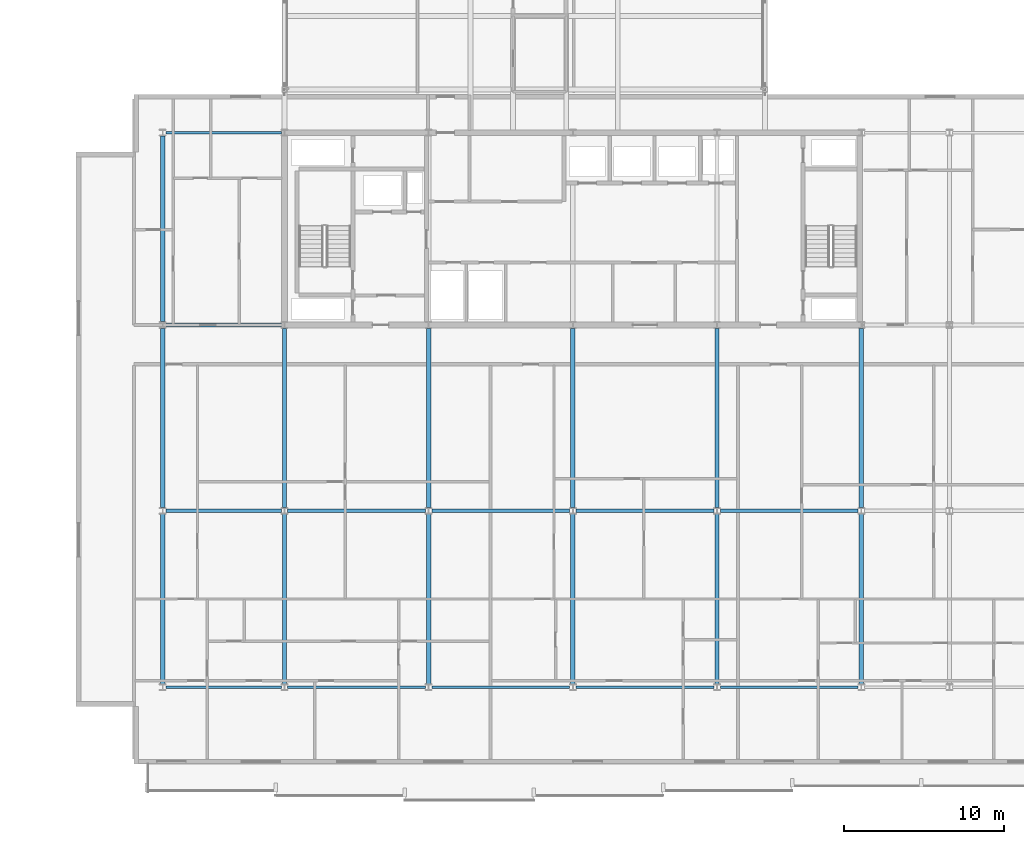
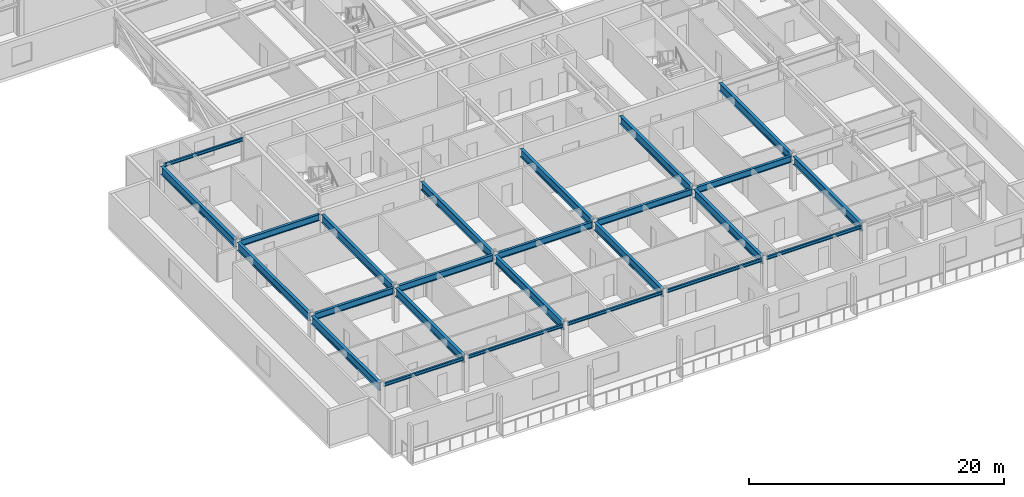
# One storey, part 3 of 36: 25 beams.
"""IFC4 building model written with IfcOpenShell, lengths in metres."""

from ifc_helpers import new_model, si_unit, direction, frame, origin, origin_2d, place, context, subcontext, project, spatial, i_section, extrude, material, material_profile, profile_set, type_object, element, save


model = new_model("IFC4")

# Units and contexts
model_context = context("Model", 3, precision=1e-05, world=origin(), true_north=direction((0.0, 1.0)))
body_context = subcontext(model_context, "Body", "Model", "MODEL_VIEW")
ifc_project = project(units=[si_unit("LENGTHUNIT", "METRE"), si_unit("AREAUNIT", "SQUARE_METRE"), si_unit("VOLUMEUNIT", "CUBIC_METRE"), si_unit("PLANEANGLEUNIT", "RADIAN"), si_unit("MASSUNIT", "GRAM", prefix="KILO")], contexts=[model_context])

# Site, building, storey
site_placement = place(None, origin())
site = spatial("IfcSite", under=ifc_project, at=site_placement, CompositionType="ELEMENT")
building_placement = place(site_placement, origin())
building = spatial("IfcBuilding", under=site, at=building_placement, Name="Korimba Cascade Residences", CompositionType="ELEMENT")
storey_placement = place(building_placement, frame((0.0, 0.0, 142.89990234375)))
storey = spatial("IfcBuildingStorey", under=building, at=storey_placement, Name="L41", CompositionType="ELEMENT", Elevation=142.89990234375)

# Beams
ifc_material = material(Name="Steel S355", Category="steel")
ifc_material_profile_1 = material_profile(ifc_material, i_section(OverallWidth=0.165771484375, OverallDepth=0.306640625, WebThickness=0.006591796875, FlangeThickness=0.01171875, FilletRadius=0.0087890625, at=origin_2d()), Name="Steel S355")
ifc_profile_set_1 = profile_set([ifc_material_profile_1], Name="Steel S355")
beam_type_1 = type_object("IfcBeamType", Name="BM-STL-UB305", PredefinedType="SPANDREL", material=ifc_profile_set_1)
beam_1_placement = place(storey_placement, frame((74.701416015625, -4.199951171875, 3.15673828125), z_axis=(1.0, 0.0, 0.0), x_axis=(0.0, 1.0, 0.0)))
element("IfcBeam", 1, at=beam_1_placement, inside=storey, type_object=beam_type_1, Name="L41 T2 E-W Girder Y1 Bay 1", PredefinedType="SPANDREL", context=body_context, shape_type="SweptSolid", body=[
    extrude(i_section(OverallWidth=0.165771484375, OverallDepth=0.306640625, WebThickness=0.006591796875, FlangeThickness=0.01171875, FilletRadius=0.0087890625, at=origin_2d()), origin(), (0.0, 0.0, 1.0), 7.197021484375),
])
for number, where, z_axis, x_axis, name in (
    (2, (82.301513671875, -4.199951171875, 3.15673828125), (1.0, 0.0, 0.0), (0.0, 1.0, 0.0), "L41 T2 E-W Girder Y1 Bay 2"),
    (3, (91.301513671875, -4.199951171875, 3.15673828125), (1.0, 0.0, 0.0), (0.0, 1.0, 0.0), "L41 T2 E-W Girder Y1 Bay 3"),
    (4, (100.301513671875, -4.199951171875, 3.15673828125), (1.0, 0.0, 0.0), (0.0, 1.0, 0.0), "L41 T2 E-W Girder Y1 Bay 4"),
    (5, (109.301513671875, -4.199951171875, 3.15673828125), (1.0, 0.0, 0.0), (0.0, 1.0, 0.0), "L41 T2 E-W Girder Y1 Bay 5"),
):
    element("IfcBeam", number, at=place(storey_placement, frame(where, z_axis=z_axis, x_axis=x_axis)), inside=storey, type_object=beam_type_1, Name=name, PredefinedType="SPANDREL", context=body_context, shape_type="SweptSolid", body=[
        extrude(i_section(OverallWidth=0.165771484375, OverallDepth=0.306640625, WebThickness=0.006591796875, FlangeThickness=0.01171875, FilletRadius=0.0087890625, at=origin_2d()), origin(), (0.0, 0.0, 1.0), 8.596923828125),
    ])
beam_2_placement = place(storey_placement, frame((74.701416015625, 30.39990234375, 3.15673828125), z_axis=(1.0, 0.0, 0.0), x_axis=(0.0, 1.0, 0.0)))
element("IfcBeam", 6, at=beam_2_placement, inside=storey, type_object=beam_type_1, Name="L41 T2 E-W Girder Y4 Bay 1", PredefinedType="SPANDREL", context=body_context, shape_type="SweptSolid", body=[
    extrude(i_section(OverallWidth=0.165771484375, OverallDepth=0.306640625, WebThickness=0.006591796875, FlangeThickness=0.01171875, FilletRadius=0.0087890625, at=origin_2d()), origin(), (0.0, 0.0, 1.0), 7.197021484375),
])
ifc_material_profile_2 = material_profile(ifc_material, i_section(OverallWidth=0.22900390625, OverallDepth=0.6123046875, WebThickness=0.011962890625, FlangeThickness=0.01953125, FilletRadius=0.0126953125, at=origin_2d()), Name="Steel S355")
ifc_profile_set_2 = profile_set([ifc_material_profile_2], Name="Steel S355")
beam_type_2 = type_object("IfcBeamType", Name="BM-STL-UB610B", PredefinedType="BEAM", material=ifc_profile_set_2)
beam_3_placement = place(storey_placement, frame((74.701416015625, 6.800048828125, 3.00390625), z_axis=(1.0, 0.0, 0.0), x_axis=(0.0, 1.0, 0.0)))
element("IfcBeam", 7, at=beam_3_placement, inside=storey, type_object=beam_type_2, Name="L41 T2 E-W Girder Y2 Bay 1", PredefinedType="BEAM", context=body_context, shape_type="SweptSolid", body=[
    extrude(i_section(OverallWidth=0.22900390625, OverallDepth=0.6123046875, WebThickness=0.011962890625, FlangeThickness=0.01953125, FilletRadius=0.0126953125, at=origin_2d()), origin(), (0.0, 0.0, 1.0), 7.197021484375),
])
for number, where, z_axis, x_axis, name in (
    (8, (82.301513671875, 6.800048828125, 3.00390625), (1.0, 0.0, 0.0), (0.0, 1.0, 0.0), "L41 T2 E-W Girder Y2 Bay 2"),
    (9, (91.301513671875, 6.800048828125, 3.00390625), (1.0, 0.0, 0.0), (0.0, 1.0, 0.0), "L41 T2 E-W Girder Y2 Bay 3"),
    (10, (100.301513671875, 6.800048828125, 3.00390625), (1.0, 0.0, 0.0), (0.0, 1.0, 0.0), "L41 T2 E-W Girder Y2 Bay 4"),
    (11, (109.301513671875, 6.800048828125, 3.00390625), (1.0, 0.0, 0.0), (0.0, 1.0, 0.0), "L41 T2 E-W Girder Y2 Bay 5"),
):
    element("IfcBeam", number, at=place(storey_placement, frame(where, z_axis=z_axis, x_axis=x_axis)), inside=storey, type_object=beam_type_2, Name=name, PredefinedType="BEAM", context=body_context, shape_type="SweptSolid", body=[
        extrude(i_section(OverallWidth=0.22900390625, OverallDepth=0.6123046875, WebThickness=0.011962890625, FlangeThickness=0.01953125, FilletRadius=0.0126953125, at=origin_2d()), origin(), (0.0, 0.0, 1.0), 8.596923828125),
    ])
beam_4_placement = place(storey_placement, frame((74.701416015625, 18.39990234375, 3.00390625), z_axis=(1.0, 0.0, 0.0), x_axis=(0.0, 1.0, 0.0)))
element("IfcBeam", 12, at=beam_4_placement, inside=storey, type_object=beam_type_2, Name="L41 T2 E-W Girder Y3 Bay 1", PredefinedType="BEAM", context=body_context, shape_type="SweptSolid", body=[
    extrude(i_section(OverallWidth=0.22900390625, OverallDepth=0.6123046875, WebThickness=0.011962890625, FlangeThickness=0.01953125, FilletRadius=0.0126953125, at=origin_2d()), origin(), (0.0, 0.0, 1.0), 7.197021484375),
])
ifc_material_profile_3 = material_profile(ifc_material, i_section(OverallWidth=0.26806640625, OverallDepth=0.769775390625, WebThickness=0.015625, FlangeThickness=0.025390625, FilletRadius=0.0166015625, at=origin_2d()), Name="Steel S355")
ifc_profile_set_3 = profile_set([ifc_material_profile_3], Name="Steel S355")
beam_type_3 = type_object("IfcBeamType", Name="BM-STL-UB762", PredefinedType="BEAM", material=ifc_profile_set_3)
beam_5_placement = place(storey_placement, frame((74.5, -3.996826171875, 2.92529296875), z_axis=(0.0, 1.0, 0.0), x_axis=(-1.0, 0.0, 0.0)))
element("IfcBeam", 13, at=beam_5_placement, inside=storey, type_object=beam_type_3, Name="L41 T2 N-S Girder X1 Seg 1", PredefinedType="BEAM", context=body_context, shape_type="SweptSolid", body=[
    extrude(i_section(OverallWidth=0.26806640625, OverallDepth=0.769775390625, WebThickness=0.015625, FlangeThickness=0.025390625, FilletRadius=0.0166015625, at=origin_2d()), origin(), (0.0, 0.0, 1.0), 10.593505859375),
])
beam_6_placement = place(storey_placement, frame((74.5, 7.003173828125, 2.92529296875), z_axis=(0.0, 1.0, 0.0), x_axis=(-1.0, 0.0, 0.0)))
element("IfcBeam", 14, at=beam_6_placement, inside=storey, type_object=beam_type_3, Name="L41 T2 N-S Girder X1 Seg 2", PredefinedType="BEAM", context=body_context, shape_type="SweptSolid", body=[
    extrude(i_section(OverallWidth=0.26806640625, OverallDepth=0.769775390625, WebThickness=0.015625, FlangeThickness=0.025390625, FilletRadius=0.0166015625, at=origin_2d()), origin(), (0.0, 0.0, 1.0), 11.193603515625),
])
beam_7_placement = place(storey_placement, frame((74.5, 18.603271484375, 2.92529296875), z_axis=(0.0, 1.0, 0.0), x_axis=(-1.0, 0.0, 0.0)))
element("IfcBeam", 15, at=beam_7_placement, inside=storey, type_object=beam_type_3, Name="L41 T2 N-S Girder X1 Seg 3", PredefinedType="BEAM", context=body_context, shape_type="SweptSolid", body=[
    extrude(i_section(OverallWidth=0.26806640625, OverallDepth=0.769775390625, WebThickness=0.015625, FlangeThickness=0.025390625, FilletRadius=0.0166015625, at=origin_2d()), origin(), (0.0, 0.0, 1.0), 11.593505859375),
])
beam_8_placement = place(storey_placement, frame((82.10009765625, -3.996826171875, 2.92529296875), z_axis=(0.0, 1.0, 0.0), x_axis=(-1.0, 0.0, 0.0)))
element("IfcBeam", 16, at=beam_8_placement, inside=storey, type_object=beam_type_3, Name="L41 T2 N-S Girder X2 Seg 1", PredefinedType="BEAM", context=body_context, shape_type="SweptSolid", body=[
    extrude(i_section(OverallWidth=0.26806640625, OverallDepth=0.769775390625, WebThickness=0.015625, FlangeThickness=0.025390625, FilletRadius=0.0166015625, at=origin_2d()), origin(), (0.0, 0.0, 1.0), 10.593505859375),
])
beam_9_placement = place(storey_placement, frame((82.10009765625, 7.003173828125, 2.92529296875), z_axis=(0.0, 1.0, 0.0), x_axis=(-1.0, 0.0, 0.0)))
element("IfcBeam", 17, at=beam_9_placement, inside=storey, type_object=beam_type_3, Name="L41 T2 N-S Girder X2 Seg 2", PredefinedType="BEAM", context=body_context, shape_type="SweptSolid", body=[
    extrude(i_section(OverallWidth=0.26806640625, OverallDepth=0.769775390625, WebThickness=0.015625, FlangeThickness=0.025390625, FilletRadius=0.0166015625, at=origin_2d()), origin(), (0.0, 0.0, 1.0), 11.193603515625),
])
beam_10_placement = place(storey_placement, frame((91.10009765625, -3.996826171875, 2.92529296875), z_axis=(0.0, 1.0, 0.0), x_axis=(-1.0, 0.0, 0.0)))
element("IfcBeam", 18, at=beam_10_placement, inside=storey, type_object=beam_type_3, Name="L41 T2 N-S Girder X3 Seg 1", PredefinedType="BEAM", context=body_context, shape_type="SweptSolid", body=[
    extrude(i_section(OverallWidth=0.26806640625, OverallDepth=0.769775390625, WebThickness=0.015625, FlangeThickness=0.025390625, FilletRadius=0.0166015625, at=origin_2d()), origin(), (0.0, 0.0, 1.0), 10.593505859375),
])
beam_11_placement = place(storey_placement, frame((91.10009765625, 7.003173828125, 2.92529296875), z_axis=(0.0, 1.0, 0.0), x_axis=(-1.0, 0.0, 0.0)))
element("IfcBeam", 19, at=beam_11_placement, inside=storey, type_object=beam_type_3, Name="L41 T2 N-S Girder X3 Seg 2", PredefinedType="BEAM", context=body_context, shape_type="SweptSolid", body=[
    extrude(i_section(OverallWidth=0.26806640625, OverallDepth=0.769775390625, WebThickness=0.015625, FlangeThickness=0.025390625, FilletRadius=0.0166015625, at=origin_2d()), origin(), (0.0, 0.0, 1.0), 11.193603515625),
])
beam_12_placement = place(storey_placement, frame((100.10009765625, -3.996826171875, 2.92529296875), z_axis=(0.0, 1.0, 0.0), x_axis=(-1.0, 0.0, 0.0)))
element("IfcBeam", 20, at=beam_12_placement, inside=storey, type_object=beam_type_3, Name="L41 T2 N-S Girder X4 Seg 1", PredefinedType="BEAM", context=body_context, shape_type="SweptSolid", body=[
    extrude(i_section(OverallWidth=0.26806640625, OverallDepth=0.769775390625, WebThickness=0.015625, FlangeThickness=0.025390625, FilletRadius=0.0166015625, at=origin_2d()), origin(), (0.0, 0.0, 1.0), 10.593505859375),
])
beam_13_placement = place(storey_placement, frame((100.10009765625, 7.003173828125, 2.92529296875), z_axis=(0.0, 1.0, 0.0), x_axis=(-1.0, 0.0, 0.0)))
element("IfcBeam", 21, at=beam_13_placement, inside=storey, type_object=beam_type_3, Name="L41 T2 N-S Girder X4 Seg 2", PredefinedType="BEAM", context=body_context, shape_type="SweptSolid", body=[
    extrude(i_section(OverallWidth=0.26806640625, OverallDepth=0.769775390625, WebThickness=0.015625, FlangeThickness=0.025390625, FilletRadius=0.0166015625, at=origin_2d()), origin(), (0.0, 0.0, 1.0), 11.193603515625),
])
beam_14_placement = place(storey_placement, frame((109.10009765625, -3.996826171875, 2.92529296875), z_axis=(0.0, 1.0, 0.0), x_axis=(-1.0, 0.0, 0.0)))
element("IfcBeam", 22, at=beam_14_placement, inside=storey, type_object=beam_type_3, Name="L41 T2 N-S Girder X5 Seg 1", PredefinedType="BEAM", context=body_context, shape_type="SweptSolid", body=[
    extrude(i_section(OverallWidth=0.26806640625, OverallDepth=0.769775390625, WebThickness=0.015625, FlangeThickness=0.025390625, FilletRadius=0.0166015625, at=origin_2d()), origin(), (0.0, 0.0, 1.0), 10.593505859375),
])
beam_15_placement = place(storey_placement, frame((109.10009765625, 7.003173828125, 2.92529296875), z_axis=(0.0, 1.0, 0.0), x_axis=(-1.0, 0.0, 0.0)))
element("IfcBeam", 23, at=beam_15_placement, inside=storey, type_object=beam_type_3, Name="L41 T2 N-S Girder X5 Seg 2", PredefinedType="BEAM", context=body_context, shape_type="SweptSolid", body=[
    extrude(i_section(OverallWidth=0.26806640625, OverallDepth=0.769775390625, WebThickness=0.015625, FlangeThickness=0.025390625, FilletRadius=0.0166015625, at=origin_2d()), origin(), (0.0, 0.0, 1.0), 11.193603515625),
])
beam_16_placement = place(storey_placement, frame((118.10009765625, -3.996826171875, 2.92529296875), z_axis=(0.0, 1.0, 0.0), x_axis=(-1.0, 0.0, 0.0)))
element("IfcBeam", 24, at=beam_16_placement, inside=storey, type_object=beam_type_3, Name="L41 T2 N-S Girder X6 Seg 1", PredefinedType="BEAM", context=body_context, shape_type="SweptSolid", body=[
    extrude(i_section(OverallWidth=0.26806640625, OverallDepth=0.769775390625, WebThickness=0.015625, FlangeThickness=0.025390625, FilletRadius=0.0166015625, at=origin_2d()), origin(), (0.0, 0.0, 1.0), 10.593505859375),
])
beam_17_placement = place(storey_placement, frame((118.10009765625, 7.003173828125, 2.92529296875), z_axis=(0.0, 1.0, 0.0), x_axis=(-1.0, 0.0, 0.0)))
element("IfcBeam", 25, at=beam_17_placement, inside=storey, type_object=beam_type_3, Name="L41 T2 N-S Girder X6 Seg 2", PredefinedType="BEAM", context=body_context, shape_type="SweptSolid", body=[
    extrude(i_section(OverallWidth=0.26806640625, OverallDepth=0.769775390625, WebThickness=0.015625, FlangeThickness=0.025390625, FilletRadius=0.0166015625, at=origin_2d()), origin(), (0.0, 0.0, 1.0), 11.193603515625),
])

save(model, "model.ifc")
